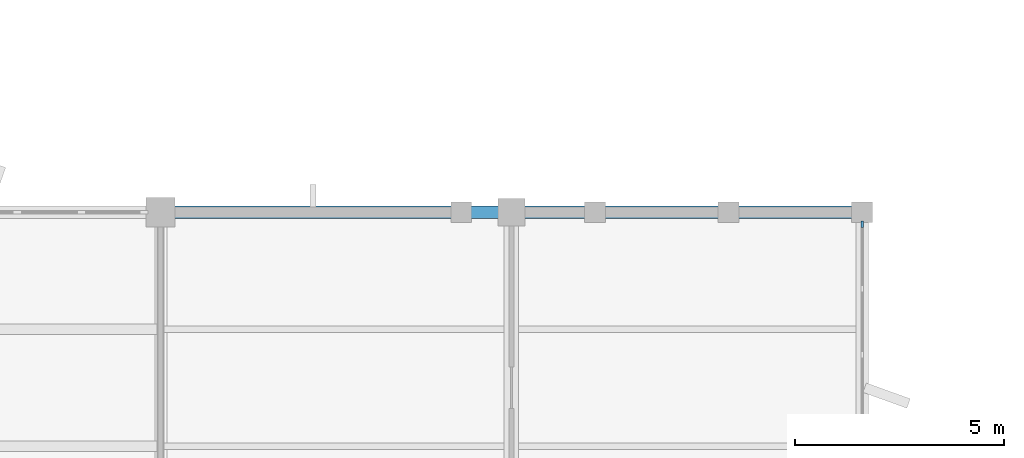
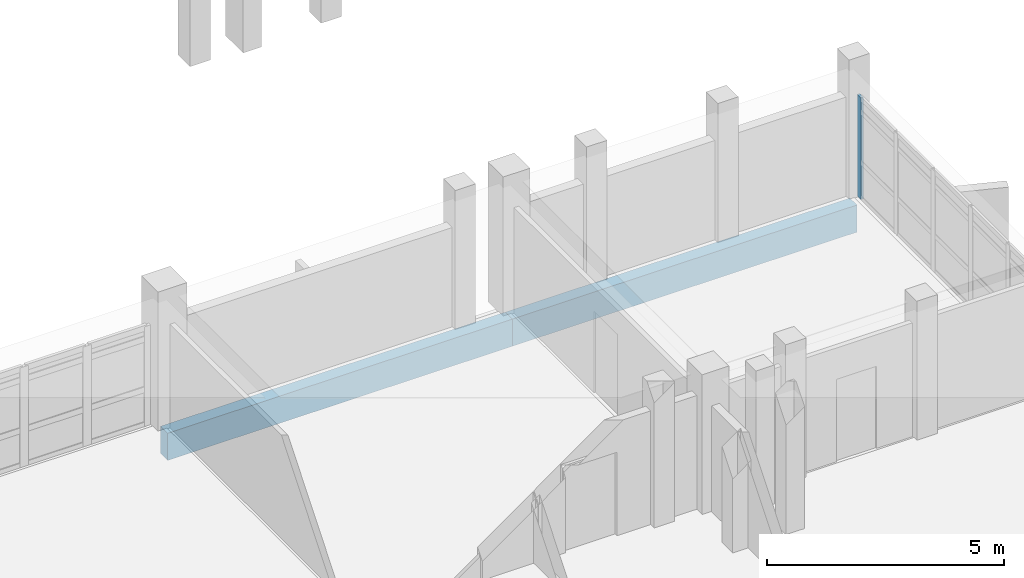
# One storey, part 44 of 104: 2 beams, 1 member, 1 element without a shape of its own.
"""IFC4 building model written with IfcOpenShell, lengths in metres."""

from ifc_helpers import new_model, si_unit, direction, frame, origin, origin_2d, place, context, subcontext, project, spatial, rectangle, extrude, material, material_profile, profile_set, type_object, element, aggregate, save


model = new_model("IFC4")

# Units and contexts
model_context = context("Model", 3, precision=1e-05, world=origin(), true_north=direction((0.0, 1.0)))
body_context = subcontext(model_context, "Body", "Model", "MODEL_VIEW")
ifc_project = project(units=[si_unit("LENGTHUNIT", "METRE"), si_unit("AREAUNIT", "SQUARE_METRE"), si_unit("VOLUMEUNIT", "CUBIC_METRE"), si_unit("PLANEANGLEUNIT", "RADIAN"), si_unit("MASSUNIT", "GRAM", prefix="KILO")], contexts=[model_context])

# Site, building, storey
site_placement = place(None, origin())
site = spatial("IfcSite", under=ifc_project, at=site_placement, CompositionType="ELEMENT")
building_placement = place(site_placement, origin())
building = spatial("IfcBuilding", under=site, at=building_placement, Name="Vanh Quang Courtyard School", CompositionType="ELEMENT")
storey_placement = place(building_placement, frame((0.0, 0.0, 4.199951171875)))
storey = spatial("IfcBuildingStorey", under=building, at=storey_placement, Name="L01", CompositionType="ELEMENT", Elevation=4.199951171875)

# Beams
ifc_material_1 = material(Name="Concrete C35/45", Category="concrete")
ifc_material_profile_1 = material_profile(ifc_material_1, rectangle(XDim=0.300048828125, YDim=0.699951171875, at=origin_2d()), Name="RC-SP 300x700")
ifc_profile_set_1 = profile_set([ifc_material_profile_1], Name="Concrete C35/45")
beam_type = type_object("IfcBeamType", Name="BM-SP-300x700", PredefinedType="SPANDREL", material=ifc_profile_set_1)
for number, where, z_axis, x_axis, name in (
    (1, (102.60009765625, 96.60009765625, -0.6298828125), (1.0, 0.0, 0.0), (0.0, 1.0, 0.0), "Beam BS-01 (L01)"),
    (2, (111.0, 96.60009765625, -0.6298828125), (1.0, 0.0, 0.0), (0.0, 1.0, 0.0), "Beam BS-01 (L01)"),
):
    element("IfcBeam", number, at=place(storey_placement, frame(where, z_axis=z_axis, x_axis=x_axis)), inside=storey, type_object=beam_type, Name=name, PredefinedType="SPANDREL", context=body_context, shape_type="SweptSolid", body=[
        extrude(rectangle(XDim=0.300048828125, YDim=0.699951171875, at=origin_2d()), origin(), (0.0, 0.0, 1.0), 8.39990234375),
    ])

# Curtain wall, member
ifc_material_2 = material(Name="Thermally broken aluminium unitised curtain wall", Category="aluminium")
curtain_wall_type = type_object("IfcCurtainWallType", Name="CW-SYS-19", PredefinedType="NOTDEFINED", material=ifc_material_2)
curtain_wall_placement = place(storey_placement, origin())
curtain_wall = element("IfcCurtainWall", 3, at=curtain_wall_placement, inside=storey, type_object=curtain_wall_type, Name="Curtain Wall CW-19 (L01)", PredefinedType="NOTDEFINED")
ifc_material_3 = material(Name="Anodised aluminium 6063-T6", Category="aluminium")
ifc_material_profile_2 = material_profile(ifc_material_3, rectangle(XDim=0.06005859375, YDim=0.159912109375, at=origin_2d()), Name="ALU-MUL 60x160")
ifc_profile_set_2 = profile_set([ifc_material_profile_2], Name="Anodised aluminium 6063-T6")
member_type = type_object("IfcMemberType", Name="CW-MUL-60x160", PredefinedType="MULLION", material=ifc_profile_set_2)
member_placement = place(storey_placement, frame((119.39990234375, 96.31201171875, 0.0), z_axis=(0.0, 0.0, 1.0), x_axis=(1.0, 0.0, 0.0)))
member = element("IfcMember", 4, at=member_placement, type_object=member_type, Name="CW-19 mullion 1", PredefinedType="MULLION", context=body_context, shape_type="SweptSolid", body=[
    extrude(rectangle(XDim=0.06005859375, YDim=0.159912109375, at=origin_2d()), origin(), (0.0, 0.0, 1.0), 2.6201171875),
])
aggregate(curtain_wall, [member])

save(model, "model.ifc")
